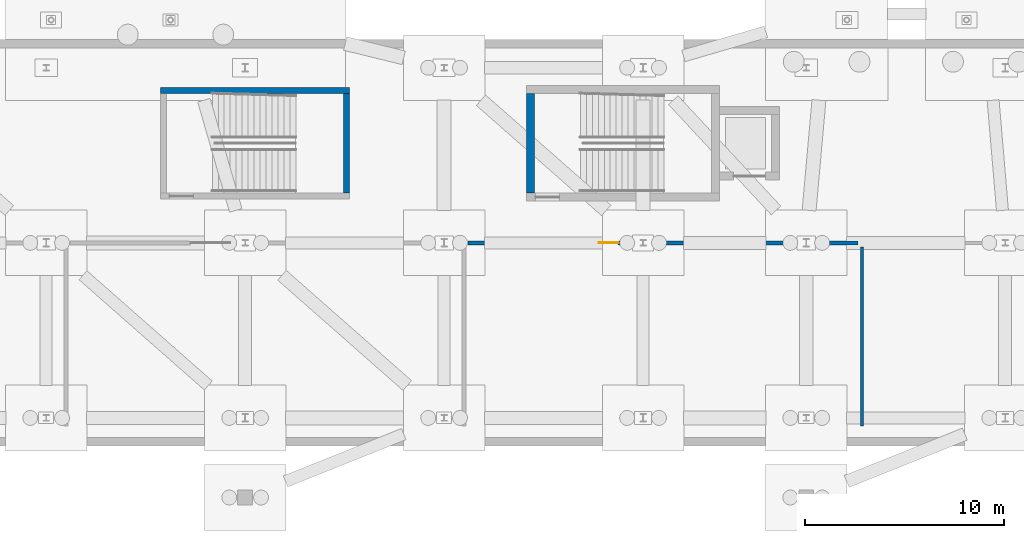
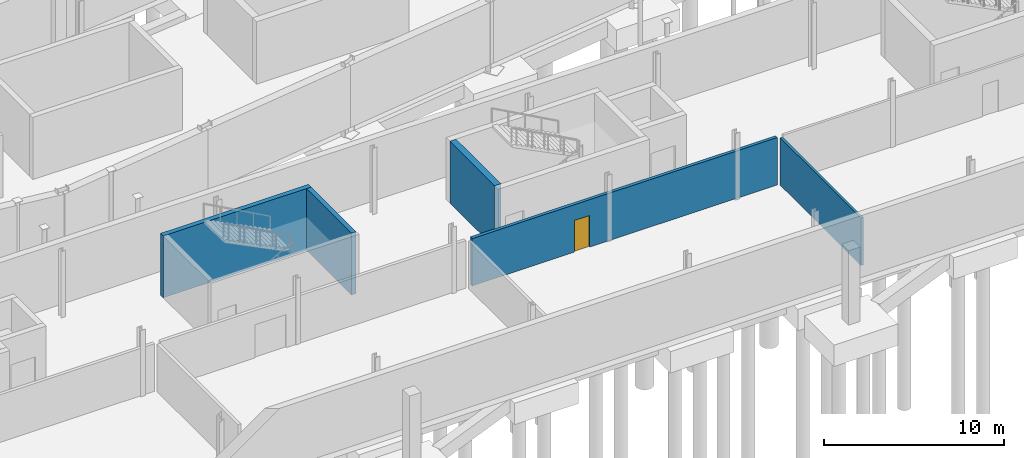
# One storey, part 44 of 55: 5 walls, 1 door, 1 opening.
"""IFC4 building model written with IfcOpenShell, lengths in metres."""

from ifc_helpers import new_model, si_unit, direction, frame, frame_2d, origin, place, context, subcontext, project, spatial, rectangle, extrude, material, layer, layer_set, type_object, element, fill, save


model = new_model("IFC4")

# Units and contexts
model_context = context("Model", 3, precision=1e-05, world=origin(), true_north=direction((0.0, 1.0)))
body_context = subcontext(model_context, "Body", "Model", "MODEL_VIEW")
ifc_project = project(units=[si_unit("LENGTHUNIT", "METRE"), si_unit("AREAUNIT", "SQUARE_METRE"), si_unit("VOLUMEUNIT", "CUBIC_METRE"), si_unit("PLANEANGLEUNIT", "RADIAN"), si_unit("MASSUNIT", "GRAM", prefix="KILO")], contexts=[model_context])

# Site, building, storey
site_placement = place(None, origin())
site = spatial("IfcSite", under=ifc_project, at=site_placement, CompositionType="ELEMENT")
building_placement = place(site_placement, origin())
building = spatial("IfcBuilding", under=site, at=building_placement, Name="Sohan Crest Arena", CompositionType="ELEMENT")
storey_placement = place(building_placement, frame((0.0, 0.0, -4.5)))
storey = spatial("IfcBuildingStorey", under=building, at=storey_placement, Name="B1", CompositionType="ELEMENT", Elevation=-4.5)

# Wall, opening, door
ifc_material_1 = material(Name="Fire-rated masonry blockwork compartment wall", Category="masonry")
ifc_layer_1 = layer(ifc_material_1, 0.199951171875, Name="Fire-rated masonry blockwork compartment wall")
ifc_layer_set_1 = layer_set([ifc_layer_1], Name="Fire-rated masonry blockwork compartment wall")
wall_type_1 = type_object("IfcWallType", Name="WAL-FW01", PredefinedType="PARTITIONING", material=ifc_layer_set_1)
wall_1_placement = place(storey_placement, frame((116.199951171875, 16.0, 0.0), z_axis=(0.0, 0.0, 1.0), x_axis=(1.0, 0.0, 0.0)))
wall_1 = element("IfcWall", 1, at=wall_1_placement, inside=storey, type_object=wall_type_1, Name="Interior partition wall PW-0836", PredefinedType="PARTITIONING", context=body_context, shape_type="SweptSolid", body=[
    extrude(rectangle(XDim=19.60009765625, YDim=0.199951171875, at=frame_2d((9.800048828125, 0.0))), origin(), (0.0, 0.0, 1.0), 3.219970703125),
])
opening_placement = place(wall_1_placement, frame((6.56591796875, 0.0, 0.0)))
opening = element("IfcOpeningElement", 2, at=opening_placement, cuts=wall_1, Name="Opening B1D-0227", PredefinedType="OPENING", context=body_context, shape_type="SweptSolid", body=[
    extrude(rectangle(XDim=0.97998046875, YDim=2.14990234375, at=frame_2d((0.489990234375, 1.074951171875))), frame((0.0, 0.10986328125, 0.0), z_axis=(0.0, -1.0, 0.0), x_axis=(1.0, 0.0, 0.0)), (0.0, 0.0, 1.0), 0.219970703125),
])
ifc_material_2 = material(Name="Fire-rated plant and store room door", Category="wood")
door_type = type_object("IfcDoorType", Name="DR-FD06", OperationType="NOTDEFINED", PredefinedType="DOOR", material=ifc_material_2)
door_placement = place(opening_placement, origin())
door = element("IfcDoor", 3, at=door_placement, inside=storey, type_object=door_type, Name="Fire pump room door B1D-0227", OperationType="SINGLE_SWING_RIGHT", OverallHeight=2.14990234375, OverallWidth=0.97998046875, PredefinedType="DOOR", context=body_context, shape_type="SweptSolid", body=[
    extrude(rectangle(XDim=0.97998046875, YDim=2.14990234375, at=frame_2d((0.489990234375, 1.074951171875))), frame((0.0, 0.02490234375, 0.0), z_axis=(0.0, -1.0, 0.0), x_axis=(1.0, 0.0, 0.0)), (0.0, 0.0, 1.0), 0.050048828125),
])
fill(opening, door)

# Walls
ifc_material_3 = material(Name="Wet-area moisture-resistant masonry partition", Category="masonry")
ifc_layer_2 = layer(ifc_material_3, 0.14990234375, Name="Wet-area moisture-resistant masonry partition")
ifc_layer_set_2 = layer_set([ifc_layer_2], Name="Wet-area moisture-resistant masonry partition")
wall_type_2 = type_object("IfcWallType", Name="WAL-PW03", PredefinedType="PARTITIONING", material=ifc_layer_set_2)
wall_2_placement = place(storey_placement, frame((136.0, 6.800048828125, 0.0), z_axis=(0.0, 0.0, 1.0), x_axis=(0.0, 1.0, 0.0)))
element("IfcWall", 4, at=wall_2_placement, inside=storey, type_object=wall_type_2, Name="Interior partition wall PW-0835", PredefinedType="PARTITIONING", context=body_context, shape_type="SweptSolid", body=[
    extrude(rectangle(XDim=9.0, YDim=0.14990234375, at=frame_2d((4.5, 0.0))), origin(), (0.0, 0.0, 1.0), 3.219970703125),
])
ifc_material_4 = material(Name="Concrete C40/50", Category="concrete")
ifc_layer_3 = layer(ifc_material_4, 0.300048828125, Name="Concrete C40/50")
ifc_layer_set_3 = layer_set([ifc_layer_3], Name="Concrete C40/50")
wall_type_3 = type_object("IfcWallType", Name="WAL-SW01", PredefinedType="SHEAR", material=ifc_layer_set_3)
wall_3_placement = place(storey_placement, frame((110.10009765625, 18.5, 0.0), z_axis=(0.0, 0.0, 1.0), x_axis=(0.0, 1.0, 0.0)))
element("IfcWall", 5, at=wall_3_placement, inside=storey, type_object=wall_type_3, Name="Core shear wall SW-0508", PredefinedType="SHEAR", context=body_context, shape_type="SweptSolid", body=[
    extrude(rectangle(XDim=5.0, YDim=0.300048828125, at=frame_2d((2.5, 0.0))), origin(), (0.0, 0.0, 1.0), 4.199951171875),
])
wall_4_placement = place(storey_placement, frame((100.75, 23.64990234375, 0.0), z_axis=(0.0, 0.0, 1.0), x_axis=(1.0, 0.0, 0.0)))
element("IfcWall", 6, at=wall_4_placement, inside=storey, type_object=wall_type_3, Name="Core shear wall SW-0510", PredefinedType="SHEAR", context=body_context, shape_type="SweptSolid", body=[
    extrude(rectangle(XDim=9.5, YDim=0.300048828125, at=frame_2d((4.75, 0.0))), origin(), (0.0, 0.0, 1.0), 4.199951171875),
])
ifc_layer_4 = layer(ifc_material_4, 0.39990234375, Name="Concrete C40/50")
ifc_layer_set_4 = layer_set([ifc_layer_4], Name="Concrete C40/50")
wall_type_4 = type_object("IfcWallType", Name="WAL-SW03", PredefinedType="SHEAR", material=ifc_layer_set_4)
wall_5_placement = place(storey_placement, frame((119.35009765625, 18.5, 0.0), z_axis=(0.0, 0.0, 1.0), x_axis=(0.0, 1.0, 0.0)))
element("IfcWall", 7, at=wall_5_placement, inside=storey, type_object=wall_type_4, Name="Core shear wall SW-0691", PredefinedType="SHEAR", context=body_context, shape_type="SweptSolid", body=[
    extrude(rectangle(XDim=5.0, YDim=0.39990234375, at=frame_2d((2.5, 0.0))), origin(), (0.0, 0.0, 1.0), 4.199951171875),
])

save(model, "model.ifc")
